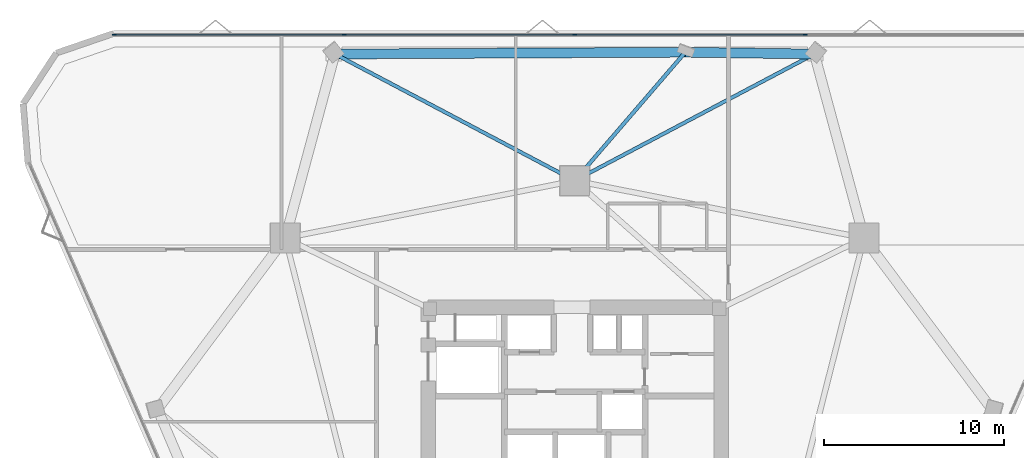
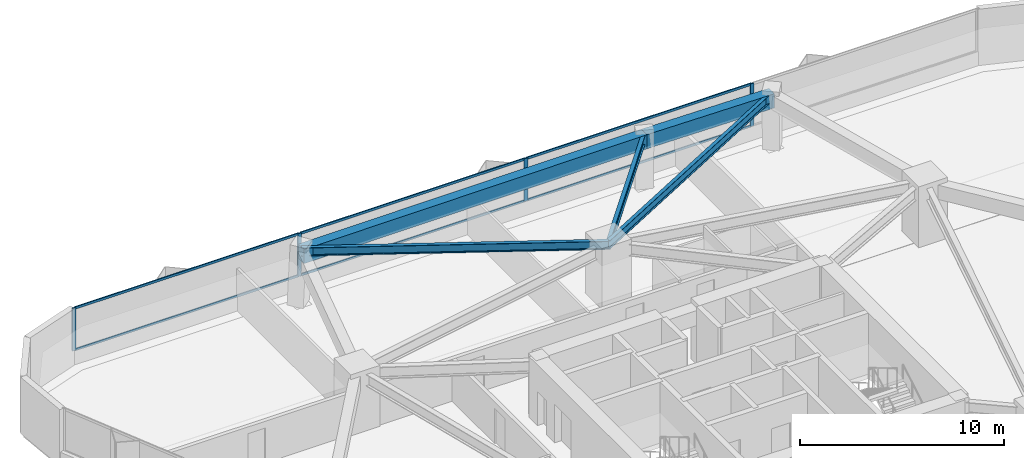
# One storey, part 7 of 15: 10 members, 5 beams, 1 element without a shape of its own.
"""IFC4 building model written with IfcOpenShell, lengths in metres."""

from ifc_helpers import new_model, si_unit, direction, frame, origin, origin_2d, place, context, subcontext, project, spatial, rectangle, i_section, extrude, material, layer, layer_set, material_profile, profile_set, type_object, element, aggregate, save


model = new_model("IFC4")

# Units and contexts
model_context = context("Model", 3, precision=1e-05, world=origin(), true_north=direction((0.0, 1.0)))
body_context = subcontext(model_context, "Body", "Model", "MODEL_VIEW")
ifc_project = project(units=[si_unit("LENGTHUNIT", "METRE"), si_unit("AREAUNIT", "SQUARE_METRE"), si_unit("VOLUMEUNIT", "CUBIC_METRE"), si_unit("PLANEANGLEUNIT", "RADIAN"), si_unit("MASSUNIT", "GRAM", prefix="KILO")], contexts=[model_context])

# Site, building, storey
site_placement = place(None, origin())
site = spatial("IfcSite", under=ifc_project, at=site_placement, CompositionType="ELEMENT")
building_placement = place(site_placement, origin())
building = spatial("IfcBuilding", under=site, at=building_placement, Name="Talyreon Biosciences Tower", CompositionType="ELEMENT")
storey_placement = place(building_placement, frame((0.0, 0.0, 100.550048828125)))
storey = spatial("IfcBuildingStorey", under=building, at=storey_placement, Name="L26", CompositionType="ELEMENT", Elevation=100.550048828125)

# Curtain wall, members
ifc_material_1 = material(Name="Thermally broken aluminium and low-E glazing", Category="aluminium")
ifc_layer = layer(ifc_material_1, 0.205078125)
ifc_layer_set = layer_set([ifc_layer], Name="Thermally broken aluminium and low-E glazing")
curtain_wall_type = type_object("IfcCurtainWallType", Name="CurtainWall_SkyGardenLoggia", PredefinedType="NOTDEFINED", material=ifc_layer_set)
curtain_wall_placement = place(storey_placement, origin())
curtain_wall = element("IfcCurtainWall", 1, at=curtain_wall_placement, inside=storey, type_object=curtain_wall_type, Name="L26 Unitised Curtain Wall FCW-L26-03", PredefinedType="NOTDEFINED")
ifc_material_2 = material(Name="Anodised thermally broken aluminium", Category="aluminium")
ifc_material_profile_1 = material_profile(ifc_material_2, rectangle(XDim=0.074951171875, YDim=0.2099609375, at=origin_2d()), Name="ALUM MULLION 75x210")
ifc_profile_set_1 = profile_set([ifc_material_profile_1], Name="Anodised thermally broken aluminium")
member_type_1 = type_object("IfcMemberType", Name="CWMullion_75x210", PredefinedType="MULLION", material=ifc_profile_set_1)
member_1_placement = place(storey_placement, frame((40.383544921875, 89.906494140625, 0.81005859375), z_axis=(0.0, 0.0, 1.0), x_axis=(0.0, 1.0, 0.0)))
member_1 = element("IfcMember", 2, at=member_1_placement, type_object=member_type_1, Name="CW7 mullion 1", PredefinedType="MULLION", context=body_context, shape_type="SweptSolid", body=[
    extrude(rectangle(XDim=0.074951171875, YDim=0.2099609375, at=origin_2d()), origin(), (0.0, 0.0, 1.0), 2.56494140625),
])
member_2_placement = place(storey_placement, frame((53.173095703125, 89.906494140625, 0.81005859375), z_axis=(0.0, 0.0, 1.0), x_axis=(0.0, 1.0, 0.0)))
member_2 = element("IfcMember", 3, at=member_2_placement, type_object=member_type_1, Name="CW7 mullion 2", PredefinedType="MULLION", context=body_context, shape_type="SweptSolid", body=[
    extrude(rectangle(XDim=0.074951171875, YDim=0.2099609375, at=origin_2d()), origin(), (0.0, 0.0, 1.0), 2.56494140625),
])
member_3_placement = place(storey_placement, frame((66.0, 89.906494140625, 0.81005859375), z_axis=(0.0, 0.0, 1.0), x_axis=(0.0, 1.0, 0.0)))
member_3 = element("IfcMember", 4, at=member_3_placement, type_object=member_type_1, Name="CW7 mullion 3", PredefinedType="MULLION", context=body_context, shape_type="SweptSolid", body=[
    extrude(rectangle(XDim=0.074951171875, YDim=0.2099609375, at=origin_2d()), origin(), (0.0, 0.0, 1.0), 2.56494140625),
])
member_4_placement = place(storey_placement, frame((78.826904296875, 89.906494140625, 0.81005859375), z_axis=(0.0, 0.0, 1.0), x_axis=(0.0, 1.0, 0.0)))
member_4 = element("IfcMember", 5, at=member_4_placement, type_object=member_type_1, Name="CW7 mullion 4", PredefinedType="MULLION", context=body_context, shape_type="SweptSolid", body=[
    extrude(rectangle(XDim=0.074951171875, YDim=0.2099609375, at=origin_2d()), origin(), (0.0, 0.0, 1.0), 2.56494140625),
])
ifc_material_profile_2 = material_profile(ifc_material_2, rectangle(XDim=0.06494140625, YDim=0.139892578125, at=origin_2d()), Name="ALUM TRANSOM 65x140")
ifc_profile_set_2 = profile_set([ifc_material_profile_2], Name="Anodised thermally broken aluminium")
member_type_2 = type_object("IfcMemberType", Name="CWTransom_65x140", PredefinedType="USERDEFINED", material=ifc_profile_set_2)
member_5_placement = place(storey_placement, frame((40.421142578125, 89.906494140625, 0.842529296875), z_axis=(1.0, 0.0, 0.0), x_axis=(0.0, 1.0, 0.0)))
member_5 = element("IfcMember", 6, at=member_5_placement, type_object=member_type_2, Name="CW7 transom 1.1", ObjectType="TRANSOM", PredefinedType="USERDEFINED", context=body_context, shape_type="SweptSolid", body=[
    extrude(rectangle(XDim=0.06494140625, YDim=0.139892578125, at=origin_2d()), origin(), (0.0, 0.0, 1.0), 12.71435546875),
])
member_6_placement = place(storey_placement, frame((40.421142578125, 89.906494140625, 3.342529296875), z_axis=(1.0, 0.0, 0.0), x_axis=(0.0, 1.0, 0.0)))
member_6 = element("IfcMember", 7, at=member_6_placement, type_object=member_type_2, Name="CW7 transom 1.2", ObjectType="TRANSOM", PredefinedType="USERDEFINED", context=body_context, shape_type="SweptSolid", body=[
    extrude(rectangle(XDim=0.06494140625, YDim=0.139892578125, at=origin_2d()), origin(), (0.0, 0.0, 1.0), 12.71435546875),
])
member_7_placement = place(storey_placement, frame((53.21044921875, 89.906494140625, 0.842529296875), z_axis=(1.0, 0.0, 0.0), x_axis=(0.0, 1.0, 0.0)))
member_7 = element("IfcMember", 8, at=member_7_placement, type_object=member_type_2, Name="CW7 transom 2.1", ObjectType="TRANSOM", PredefinedType="USERDEFINED", context=body_context, shape_type="SweptSolid", body=[
    extrude(rectangle(XDim=0.06494140625, YDim=0.139892578125, at=origin_2d()), origin(), (0.0, 0.0, 1.0), 12.751953125),
])
member_8_placement = place(storey_placement, frame((53.21044921875, 89.906494140625, 3.342529296875), z_axis=(1.0, 0.0, 0.0), x_axis=(0.0, 1.0, 0.0)))
member_8 = element("IfcMember", 9, at=member_8_placement, type_object=member_type_2, Name="CW7 transom 2.2", ObjectType="TRANSOM", PredefinedType="USERDEFINED", context=body_context, shape_type="SweptSolid", body=[
    extrude(rectangle(XDim=0.06494140625, YDim=0.139892578125, at=origin_2d()), origin(), (0.0, 0.0, 1.0), 12.751953125),
])
member_9_placement = place(storey_placement, frame((66.03759765625, 89.906494140625, 0.842529296875), z_axis=(1.0, 0.0, 0.0), x_axis=(0.0, 1.0, 0.0)))
member_9 = element("IfcMember", 10, at=member_9_placement, type_object=member_type_2, Name="CW7 transom 3.1", ObjectType="TRANSOM", PredefinedType="USERDEFINED", context=body_context, shape_type="SweptSolid", body=[
    extrude(rectangle(XDim=0.06494140625, YDim=0.139892578125, at=origin_2d()), origin(), (0.0, 0.0, 1.0), 12.751953125),
])
member_10_placement = place(storey_placement, frame((66.03759765625, 89.906494140625, 3.342529296875), z_axis=(1.0, 0.0, 0.0), x_axis=(0.0, 1.0, 0.0)))
member_10 = element("IfcMember", 11, at=member_10_placement, type_object=member_type_2, Name="CW7 transom 3.2", ObjectType="TRANSOM", PredefinedType="USERDEFINED", context=body_context, shape_type="SweptSolid", body=[
    extrude(rectangle(XDim=0.06494140625, YDim=0.139892578125, at=origin_2d()), origin(), (0.0, 0.0, 1.0), 12.751953125),
])
aggregate(curtain_wall, [member_1, member_2, member_3, member_4, member_5, member_6, member_7, member_8, member_9, member_10])

# Beams
ifc_material_3 = material(Name="Precast concrete C45/55", Category="concrete")
ifc_material_profile_3 = material_profile(ifc_material_3, rectangle(XDim=0.550048828125, YDim=0.85009765625, at=origin_2d()), Name="RCB 550x850")
ifc_profile_set_3 = profile_set([ifc_material_profile_3], Name="Precast concrete C45/55")
beam_type_1 = type_object("IfcBeamType", Name="ExpressedSpandrel_550x850", PredefinedType="SPANDREL", material=ifc_profile_set_3)
beam_1_placement = place(storey_placement, frame((79.340087890625, 88.836669921875, 2.949951171875), z_axis=(-0.999903392843, 0.013899819444, 0.0), x_axis=(-0.013899819444, -0.999903392843, 0.0)))
element("IfcBeam", 12, at=beam_1_placement, inside=storey, type_object=beam_type_1, Name="L26 Expressed Horizontal Concrete Spandrel 06", PredefinedType="SPANDREL", context=body_context, shape_type="SweptSolid", body=[
    extrude(rectangle(XDim=0.550048828125, YDim=0.85009765625, at=origin_2d()), origin(), (0.0, 0.0, 1.0), 7.183837890625),
])
beam_2_placement = place(storey_placement, frame((72.156982421875, 88.9365234375, 2.949951171875), z_axis=(-0.999986885569, -0.005121395394, 0.0), x_axis=(0.005121395394, -0.999986885569, 0.0)))
element("IfcBeam", 13, at=beam_2_placement, inside=storey, type_object=beam_type_1, Name="L26 Expressed Horizontal Concrete Spandrel 07", PredefinedType="SPANDREL", context=body_context, shape_type="SweptSolid", body=[
    extrude(rectangle(XDim=0.550048828125, YDim=0.85009765625, at=origin_2d()), origin(), (0.0, 0.0, 1.0), 19.497314453125),
])
ifc_material_4 = material(Name="Steel SM355", Category="steel")
ifc_material_profile_4 = material_profile(ifc_material_4, i_section(OverallWidth=0.199951171875, OverallDepth=0.5, WebThickness=0.01025390625, FlangeThickness=0.01611328125, FilletRadius=0.02099609375, at=origin_2d()), Name="IPE500")
ifc_profile_set_4 = profile_set([ifc_material_profile_4], Name="Steel SM355")
beam_type_2 = type_object("IfcBeamType", Name="SteelJoist_IPE500", PredefinedType="JOIST", material=ifc_profile_set_4)
for number, where, z_axis, x_axis, name in (
    (14, (66.0, 81.788818359375, 3.125), (0.884186322196, 0.467134399977, 0.0), (-0.467134399977, 0.884186322196, 0.0), "L26 Radial Composite Floor Joist PC-N1"),
    (15, (66.0, 81.788818359375, 3.125), (-0.884186322196, 0.467134399977, 0.0), (-0.467134399977, -0.884186322196, 0.0), "L26 Radial Composite Floor Joist PC-N2"),
):
    element("IfcBeam", number, at=place(storey_placement, frame(where, z_axis=z_axis, x_axis=x_axis)), inside=storey, type_object=beam_type_2, Name=name, PredefinedType="JOIST", context=body_context, shape_type="SweptSolid", body=[
        extrude(i_section(OverallWidth=0.199951171875, OverallDepth=0.5, WebThickness=0.01025390625, FlangeThickness=0.01611328125, FilletRadius=0.02099609375, at=origin_2d()), origin(), (0.0, 0.0, 1.0), 15.08740234375),
    ])
ifc_material_profile_5 = material_profile(ifc_material_4, i_section(OverallWidth=0.2099609375, OverallDepth=0.550048828125, WebThickness=0.010986328125, FlangeThickness=0.01708984375, FilletRadius=0.02392578125, at=origin_2d()), Name="IPE550")
ifc_profile_set_5 = profile_set([ifc_material_profile_5], Name="Steel SM355")
beam_type_3 = type_object("IfcBeamType", Name="SteelJoist_IPE550", PredefinedType="JOIST", material=ifc_profile_set_5)
beam_3_placement = place(storey_placement, frame((66.0, 81.788818359375, 3.099853515625), z_axis=(0.652645723025, 0.757663223482, 0.0), x_axis=(-0.757663223482, 0.652645723025, 0.0)))
element("IfcBeam", 16, at=beam_3_placement, inside=storey, type_object=beam_type_3, Name="L26 Radial Composite Floor Joist PL-N", PredefinedType="JOIST", context=body_context, shape_type="SweptSolid", body=[
    extrude(i_section(OverallWidth=0.2099609375, OverallDepth=0.550048828125, WebThickness=0.010986328125, FlangeThickness=0.01708984375, FilletRadius=0.02392578125, at=origin_2d()), origin(), (0.0, 0.0, 1.0), 9.433837890625),
])

save(model, "model.ifc")
